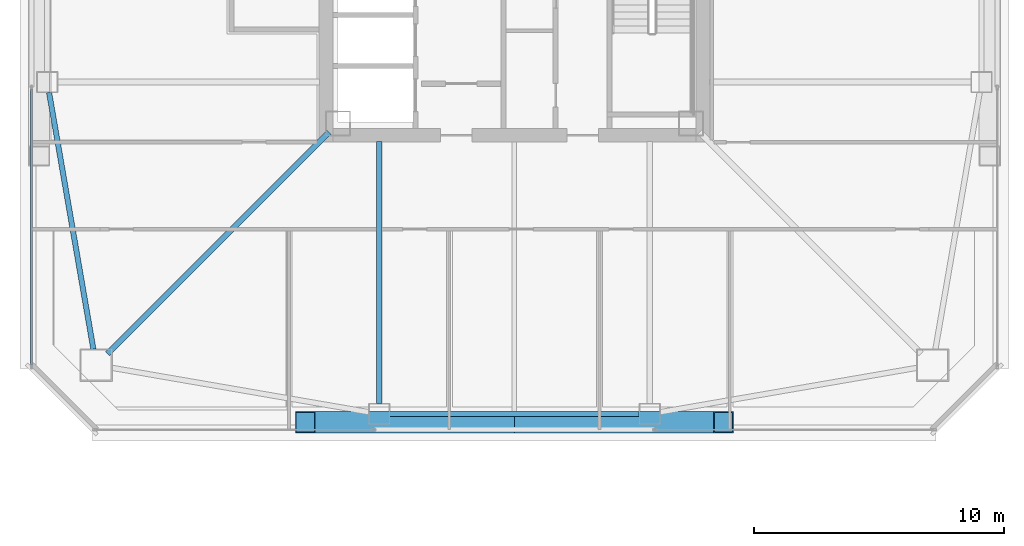
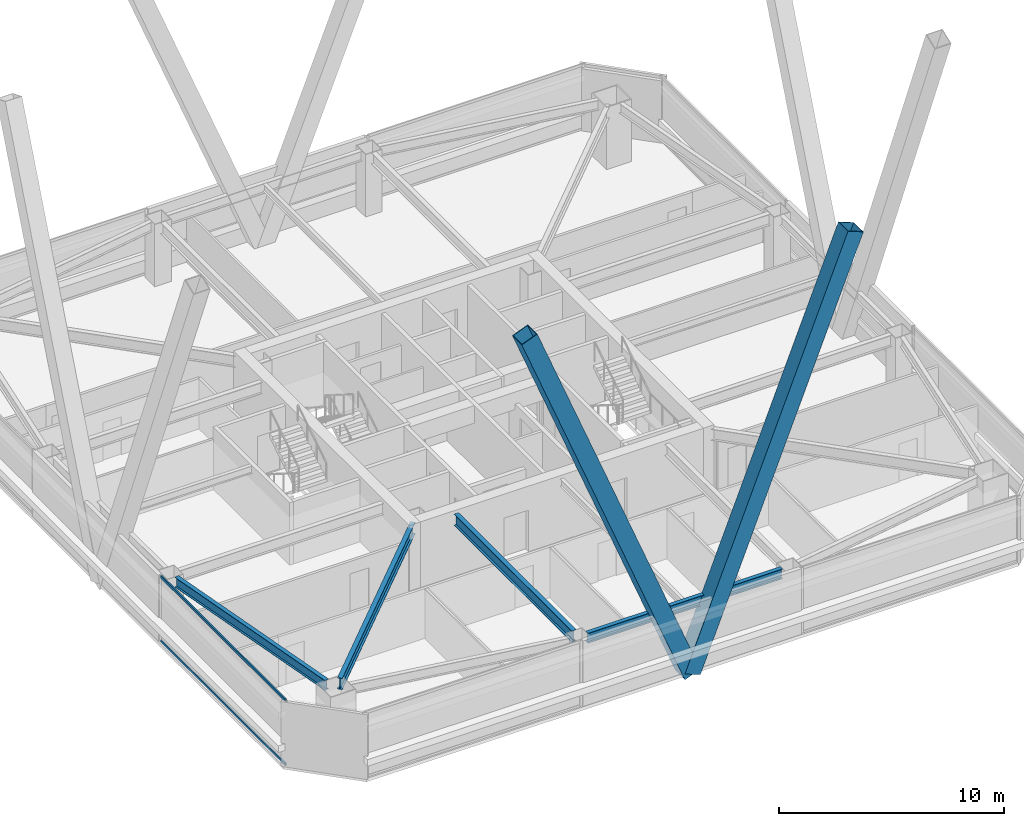
# One storey, part 4 of 50: 4 beams, 4 members, 1 element without a shape of its own.
"""IFC4 building model written with IfcOpenShell, lengths in metres."""

from ifc_helpers import new_model, si_unit, direction, frame, origin, origin_2d, place, context, subcontext, project, spatial, hollow_rectangle, i_section, extrude, material, material_profile, profile_set, type_object, element, aggregate, save


model = new_model("IFC4")

# Units and contexts
model_context = context("Model", 3, precision=1e-05, world=origin(), true_north=direction((0.0, 1.0)))
body_context = subcontext(model_context, "Body", "Model", "MODEL_VIEW")
ifc_project = project(units=[si_unit("LENGTHUNIT", "METRE"), si_unit("AREAUNIT", "SQUARE_METRE"), si_unit("VOLUMEUNIT", "CUBIC_METRE"), si_unit("PLANEANGLEUNIT", "RADIAN"), si_unit("MASSUNIT", "GRAM", prefix="KILO")], contexts=[model_context])

# Site, building, storey
site_placement = place(None, origin())
site = spatial("IfcSite", under=ifc_project, at=site_placement, CompositionType="ELEMENT")
building_placement = place(site_placement, origin())
building = spatial("IfcBuilding", under=site, at=building_placement, Name="Tashvorn Skyway Center", CompositionType="ELEMENT")
storey_placement = place(building_placement, frame((0.0, 0.0, 114.39990234375)))
storey = spatial("IfcBuildingStorey", under=building, at=storey_placement, Name="L30", CompositionType="ELEMENT", Elevation=114.39990234375)

# Beams
ifc_material_1 = material(Name="Steel ASTM A992 Grade 50", Category="steel")
ifc_material_profile_1 = material_profile(ifc_material_1, i_section(OverallWidth=0.22998046875, OverallDepth=0.616943359375, WebThickness=0.01318359375, FlangeThickness=0.022216796875, at=origin_2d()), Name="W24X94")
ifc_profile_set_1 = profile_set([ifc_material_profile_1], Name="Steel ASTM A992 Grade 50")
beam_type_1 = type_object("IfcBeamType", Name="BM-BEAM-W24X94", PredefinedType="BEAM", material=ifc_profile_set_1)
beam_1_placement = place(storey_placement, frame((25.756103515625, 15.756103515625, 3.0615234375), z_axis=(0.707106781187, 0.707106781187, 0.0), x_axis=(-0.707106781187, 0.707106781187, 0.0)))
element("IfcBeam", 1, at=beam_1_placement, inside=storey, type_object=beam_type_1, Name="Tower 1 L30 Primary Floor Girder MC-SW", PredefinedType="BEAM", context=body_context, shape_type="SweptSolid", body=[
    extrude(i_section(OverallWidth=0.22998046875, OverallDepth=0.616943359375, WebThickness=0.01318359375, FlangeThickness=0.022216796875, at=origin_2d()), origin(), (0.0, 0.0, 1.0), 12.50732421875),
])
beam_2_placement = place(storey_placement, frame((36.60009765625, 13.77001953125, 3.0615234375), z_axis=(0.0, 1.0, 0.0), x_axis=(-1.0, 0.0, 0.0)))
element("IfcBeam", 2, at=beam_2_placement, inside=storey, type_object=beam_type_1, Name="Tower 1 L30 Primary Floor Girder FC-S1", PredefinedType="BEAM", context=body_context, shape_type="SweptSolid", body=[
    extrude(i_section(OverallWidth=0.22998046875, OverallDepth=0.616943359375, WebThickness=0.01318359375, FlangeThickness=0.022216796875, at=origin_2d()), origin(), (0.0, 0.0, 1.0), 10.449951171875),
])
ifc_material_profile_2 = material_profile(ifc_material_1, i_section(OverallWidth=0.2109375, OverallDepth=0.5390625, WebThickness=0.01171875, FlangeThickness=0.018798828125, at=origin_2d()), Name="W21X73")
ifc_profile_set_2 = profile_set([ifc_material_profile_2], Name="Steel ASTM A992 Grade 50")
beam_type_2 = type_object("IfcBeamType", Name="BM-SPANDREL-W21X73", PredefinedType="SPANDREL", material=ifc_profile_set_2)
beam_3_placement = place(storey_placement, frame((37.02001953125, 13.35009765625, 3.1005859375), z_axis=(1.0, 0.0, 0.0), x_axis=(0.0, 1.0, 0.0)))
element("IfcBeam", 3, at=beam_3_placement, inside=storey, type_object=beam_type_2, Name="Tower 1 L30 Spandrel Beam 02", PredefinedType="SPANDREL", context=body_context, shape_type="SweptSolid", body=[
    extrude(i_section(OverallWidth=0.2109375, OverallDepth=0.5390625, WebThickness=0.01171875, FlangeThickness=0.018798828125, at=origin_2d()), origin(), (0.0, 0.0, 1.0), 9.9599609375),
])
beam_4_placement = place(storey_placement, frame((23.42138671875, 26.18603515625, 3.1005859375), z_axis=(0.170067250846, -0.985432458462, 0.0), x_axis=(0.985432458462, 0.170067250846, 0.0)))
element("IfcBeam", 4, at=beam_4_placement, inside=storey, type_object=beam_type_2, Name="Tower 1 L30 Spandrel Beam 12", PredefinedType="SPANDREL", context=body_context, shape_type="SweptSolid", body=[
    extrude(i_section(OverallWidth=0.2109375, OverallDepth=0.5390625, WebThickness=0.01171875, FlangeThickness=0.018798828125, at=origin_2d()), origin(), (0.0, 0.0, 1.0), 10.402099609375),
])

# Curtain wall, members
ifc_material_2 = material(Name="Thermally broken bronze-anodized aluminium 6063-T6", Category="aluminium")
curtain_wall_type = type_object("IfcCurtainWallType", Name="CW-CW-Z3", PredefinedType="NOTDEFINED", material=ifc_material_2)
curtain_wall_placement = place(storey_placement, origin())
curtain_wall = element("IfcCurtainWall", 5, at=curtain_wall_placement, inside=storey, type_object=curtain_wall_type, Name="Tower 1 L30 West Unitised Curtain Wall Glazing Group 1", PredefinedType="NOTDEFINED")
ifc_material_profile_3 = material_profile(ifc_material_2, hollow_rectangle(XDim=0.074951171875, YDim=0.139892578125, WallThickness=0.004150390625, at=origin_2d()), Name="ALU-TRAN-75x140")
ifc_profile_set_3 = profile_set([ifc_material_profile_3], Name="Thermally broken bronze-anodized aluminium 6063-T6")
member_type_1 = type_object("IfcMemberType", Name="CWT-CW-Z3", PredefinedType="USERDEFINED", material=ifc_profile_set_3)
member_1_placement = place(storey_placement, frame((22.719970703125, 15.294921875, 0.03759765625), z_axis=(0.0, 1.0, 0.0), x_axis=(-1.0, 0.0, 0.0)))
member_1 = element("IfcMember", 6, at=member_1_placement, type_object=member_type_1, Name="CW-Z3 transom 1.1", ObjectType="TRANSOM", PredefinedType="USERDEFINED", context=body_context, shape_type="SweptSolid", body=[
    extrude(hollow_rectangle(XDim=0.074951171875, YDim=0.139892578125, WallThickness=0.004150390625, at=origin_2d()), origin(), (0.0, 0.0, 1.0), 11.036865234375),
])
member_2_placement = place(storey_placement, frame((22.719970703125, 15.294921875, 3.5126953125), z_axis=(0.0, 1.0, 0.0), x_axis=(-1.0, 0.0, 0.0)))
member_2 = element("IfcMember", 7, at=member_2_placement, type_object=member_type_1, Name="CW-Z3 transom 1.2", ObjectType="TRANSOM", PredefinedType="USERDEFINED", context=body_context, shape_type="SweptSolid", body=[
    extrude(hollow_rectangle(XDim=0.074951171875, YDim=0.139892578125, WallThickness=0.004150390625, at=origin_2d()), origin(), (0.0, 0.0, 1.0), 11.036865234375),
])
aggregate(curtain_wall, [member_1, member_2])

# Members
ifc_material_3 = material(Name="Steel ASTM A572 Grade 50", Category="steel")
ifc_material_profile_4 = material_profile(ifc_material_3, hollow_rectangle(XDim=0.85009765625, YDim=0.85009765625, WallThickness=0.034912109375, at=origin_2d()), Name="BOX850x850x35")
ifc_profile_set_4 = profile_set([ifc_material_profile_4], Name="Steel ASTM A572 Grade 50")
member_type_2 = type_object("IfcMemberType", Name="MEM-MB-850", PredefinedType="BRACE", material=ifc_profile_set_4)
for number, where, z_axis, x_axis, name in (
    (8, (42.0, 13.02001953125, -0.199951171875), (-0.368727390038, 0.0, 0.929537579571), (0.0, -1.0, 0.0), "Tower 1 Zone 3 S Chevron Mega-Brace L1"),
    (9, (42.0, 13.02001953125, -0.199951171875), (0.368727390038, 0.0, 0.929537579571), (0.0, 1.0, 0.0), "Tower 1 Zone 3 S Chevron Mega-Brace R1"),
):
    element("IfcMember", number, at=place(storey_placement, frame(where, z_axis=z_axis, x_axis=x_axis)), inside=storey, type_object=member_type_2, Name=name, PredefinedType="BRACE", context=body_context, shape_type="SweptSolid", body=[
        extrude(hollow_rectangle(XDim=0.85009765625, YDim=0.85009765625, WallThickness=0.034912109375, at=origin_2d()), origin(), (0.0, 0.0, 1.0), 22.645751953125),
    ])

save(model, "model.ifc")
